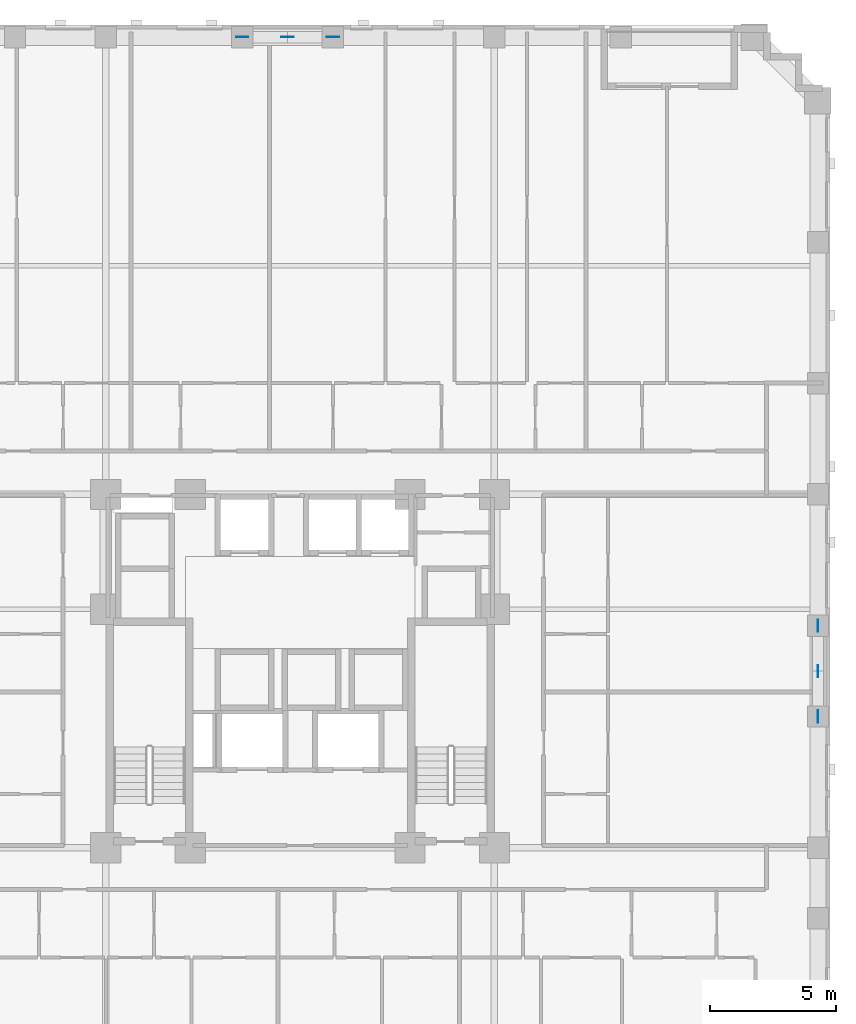
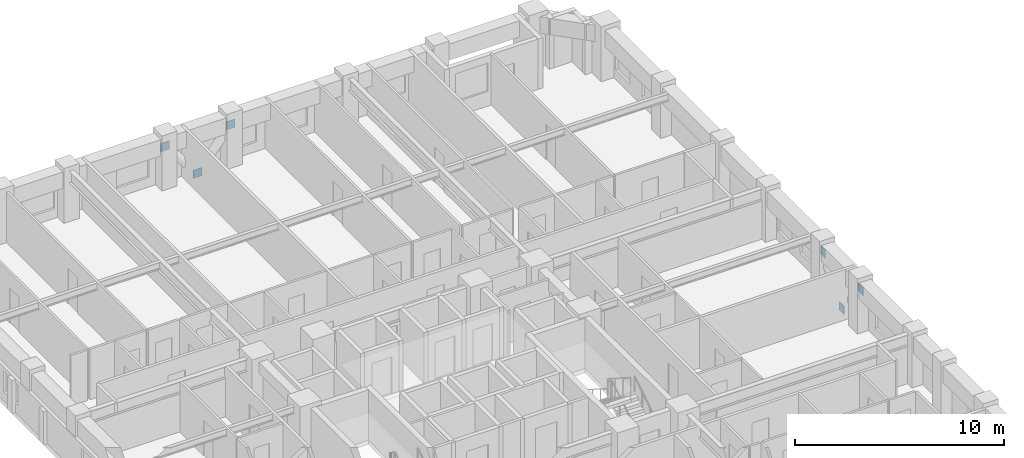
# One storey, part 11 of 14: 6 discrete accessories.
"""IFC4 building model written with IfcOpenShell, lengths in metres."""

import ifcopenshell
import ifcopenshell.guid

model = None  # the IFC model being written
_history = None  # IfcOwnerHistory: only IFC2X3 demands one
_inside = {}  # id of a spatial element -> (the spatial element, [elements in it])
_under = {}  # id of a project, library or spatial element -> (it, [spatial elements below it])
_declared = {}  # id of a project -> (the project, [libraries it declares])
_typed = {}  # id of a type object -> (the type object, [elements of that type])
_made_of = {}  # id of a material, layer set ... -> (it, [elements and type objects made of it])


def new_model(schema):
    """Start an empty IFC model of exactly this schema.

    Asked for "IFC4X3", IfcOpenShell would pick the latest addendum, in which some entities
    have other attributes; the version numbers below select the first issue.
    IFC2X3 requires an IfcOwnerHistory on every rooted entity: one is made here for all.
    """
    global model, _history
    if schema == "IFC4X3":
        model = ifcopenshell.file(schema_version=(4, 3, 0, 0))
    else:
        model = ifcopenshell.file(schema=schema)
    _inside.clear()
    _under.clear()
    _declared.clear()
    _typed.clear()
    _made_of.clear()
    _history = None
    if model.schema == "IFC2X3":
        org = make("IfcOrganization", Name="unknown")
        user = make(
            "IfcPersonAndOrganization",
            ThePerson=make("IfcPerson", FamilyName="unknown"),
            TheOrganization=org,
        )
        app = make(
            "IfcApplication",
            ApplicationDeveloper=org,
            Version="unknown",
            ApplicationFullName="unknown",
            ApplicationIdentifier="unknown",
        )
        _history = make(
            "IfcOwnerHistory",
            OwningUser=user,
            OwningApplication=app,
            ChangeAction="ADDED",
            CreationDate=0,
        )
    return model


def make(cls, **values):
    """One entity of the class cls with the attributes given. An attribute that is None is left unset."""
    return model.create_entity(
        cls, **{name: value for name, value in values.items() if value is not None}
    )


def rooted(cls, **values):
    """An entity with a GlobalId (a new one), such as an element, a storey or a relation."""
    return make(cls, GlobalId=ifcopenshell.guid.new(), OwnerHistory=_history, **values)


def si_unit(unit_type, name, prefix=None):
    """IfcSIUnit, for example si_unit("LENGTHUNIT", "METRE", prefix="MILLI")."""
    return make("IfcSIUnit", UnitType=unit_type, Prefix=prefix, Name=name)


def derived_unit(unit_type, elements):
    """IfcDerivedUnit: a product of units, each with its exponent."""
    return make(
        "IfcDerivedUnit",
        Elements=[
            make("IfcDerivedUnitElement", Unit=unit, Exponent=power)
            for unit, power in elements
        ],
        UnitType=unit_type,
    )


def assignment(units):
    """IfcUnitAssignment: the units of a project."""
    return None if units is None else make("IfcUnitAssignment", Units=units)


def point(xyz):
    """IfcCartesianPoint."""
    return None if xyz is None else make("IfcCartesianPoint", Coordinates=xyz)


def direction(xyz):
    """IfcDirection."""
    return None if xyz is None else make("IfcDirection", DirectionRatios=xyz)


def frame(location, z_axis=None, x_axis=None):
    """IfcAxis2Placement3D, a coordinate frame: its origin and axes. An axis left out is left unset."""
    return make(
        "IfcAxis2Placement3D",
        Location=point(location),
        Axis=direction(z_axis),
        RefDirection=direction(x_axis),
    )


def frame_2d(location, x_axis=None):
    """IfcAxis2Placement2D, a coordinate frame in the plane: its origin and x axis."""
    return make(
        "IfcAxis2Placement2D", Location=point(location), RefDirection=direction(x_axis)
    )


def origin():
    """The frame at (0, 0, 0) with its axes left unset."""
    return frame((0.0, 0.0, 0.0))


def origin_2d():
    """The frame at (0, 0) in the plane with its x axis left unset."""
    return frame_2d((0.0, 0.0))


def place(relative_to, where):
    """IfcLocalPlacement: puts the frame where relative to a parent placement (None: the world)."""
    return make(
        "IfcLocalPlacement", PlacementRelTo=relative_to, RelativePlacement=where
    )


def context(
    kind, dimensions, precision=None, world=None, true_north=None, identifier=None
):
    """IfcGeometricRepresentationContext, for example the 3D "Model" context."""
    return make(
        "IfcGeometricRepresentationContext",
        ContextIdentifier=identifier,
        ContextType=kind,
        CoordinateSpaceDimension=dimensions,
        Precision=precision,
        WorldCoordinateSystem=world,
        TrueNorth=true_north,
    )


def subcontext(parent, identifier, kind, view, scale=None):
    """IfcGeometricRepresentationSubContext, for example "Body" below "Model"."""
    return make(
        "IfcGeometricRepresentationSubContext",
        ContextIdentifier=identifier,
        ContextType=kind,
        ParentContext=parent,
        TargetScale=scale,
        TargetView=view,
    )


def project(units=None, contexts=None):
    """IfcProject with its units and contexts."""
    return rooted(
        "IfcProject",
        Name="project",
        RepresentationContexts=contexts,
        UnitsInContext=assignment(units),
    )


def spatial(cls, under=None, at=None, **own):
    """A site, building, storey or space (cls), placed at a placement, below another one or the project."""
    s = rooted(cls, ObjectPlacement=at, **own)
    if under is not None:
        _under.setdefault(under.id(), (under, []))[1].append(s)
    return s


def profile(cls, at=None, kind="AREA", **sizes):
    """A parametric profile (cls). Its sizes go by their IFC names, for example OverallWidth=200.0."""
    return make(cls, ProfileType=kind, Position=at, **sizes)


def rectangle(**sizes):
    """IfcRectangleProfileDef."""
    return profile("IfcRectangleProfileDef", **sizes)


def extrude(swept, where, along, depth):
    """IfcExtrudedAreaSolid: the profile swept, set in the frame where, extruded along a direction by depth."""
    return make(
        "IfcExtrudedAreaSolid",
        SweptArea=swept,
        Position=where,
        ExtrudedDirection=direction(along),
        Depth=depth,
    )


def shape(context_of_items, identifier, shape_type, items):
    """IfcShapeRepresentation: the items that make up one representation, for example the "Body"."""
    return make(
        "IfcShapeRepresentation",
        ContextOfItems=context_of_items,
        RepresentationIdentifier=identifier,
        RepresentationType=shape_type,
        Items=items,
    )


def material(Name=None, Category=None):
    """IfcMaterial."""
    return make("IfcMaterial", Name=Name, Category=Category)


def layer(
    of_material, thickness, ventilated=None, Name=None, Category=None, Priority=None
):
    """IfcMaterialLayer: one layer of a wall or slab, of a material (None: an air gap)."""
    return make(
        "IfcMaterialLayer",
        Material=of_material,
        LayerThickness=thickness,
        IsVentilated=ventilated,
        Name=Name,
        Category=Category,
        Priority=Priority,
    )


def layer_set(layers, Name=None):
    """IfcMaterialLayerSet."""
    return make("IfcMaterialLayerSet", MaterialLayers=layers, LayerSetName=Name)


def made_of(thing, what):
    """Note that an element or type object is made of a material, layer set ...; save() writes the relation."""
    if what is not None:
        _made_of.setdefault(what.id(), (what, []))[1].append(thing)
    return thing


def type_object(cls, material=None, **own):
    """A type object (cls), such as IfcWallType, which elements share."""
    return made_of(rooted(cls, **own), material)


def element(
    cls,
    number,
    at=None,
    inside=None,
    cuts=None,
    type_object=None,
    material=None,
    context=None,
    identifier="Body",
    shape_type=None,
    held_by="IfcProductDefinitionShape",
    body=None,
    shapes=None,
    **own,
):
    """One element of the class cls, such as IfcWall. Its Tag is "e" and its number.

    at: its placement. inside: the storey or other place that contains it. cuts: it is an
    opening in that element (IfcRelVoidsElement). A single representation is given by context,
    identifier, shape_type and body (its items); several are given by shapes. held_by: the class
    of the entity that holds the representations. save() writes the other relations.
    """
    e = rooted(cls, Tag="e%d" % number, ObjectPlacement=at, **own)
    if body is not None:
        shapes = [shape(context, identifier, shape_type, body)]
    if shapes is not None:
        e.Representation = make(held_by, Representations=shapes)
    if inside is not None:
        _inside.setdefault(inside.id(), (inside, []))[1].append(e)
    if cuts is not None:
        rooted(
            "IfcRelVoidsElement", RelatingBuildingElement=cuts, RelatedOpeningElement=e
        )
    if type_object is not None:
        _typed.setdefault(type_object.id(), (type_object, []))[1].append(e)
    return made_of(e, material)


def aggregate(whole, parts):
    """IfcRelAggregates: a whole, such as a stair, and the parts it consists of."""
    return rooted("IfcRelAggregates", RelatingObject=whole, RelatedObjects=parts)


def save(model, path):
    """Write the relations noted so far, then the file.

    IfcRelAggregates (storeys below a building ...), IfcRelContainedInSpatialStructure (elements
    in a storey), IfcRelDefinesByType, IfcRelAssociatesMaterial and IfcRelDeclares: one each for
    every whole, place, type object, material and project.
    """
    for whole, parts in _under.values():
        aggregate(whole, parts)
    for where, things in _inside.values():
        rooted(
            "IfcRelContainedInSpatialStructure",
            RelatedElements=things,
            RelatingStructure=where,
        )
    for kind, things in _typed.values():
        rooted("IfcRelDefinesByType", RelatedObjects=things, RelatingType=kind)
    for what, things in _made_of.values():
        rooted("IfcRelAssociatesMaterial", RelatedObjects=things, RelatingMaterial=what)
    for by, libraries in _declared.values():
        rooted("IfcRelDeclares", RelatingContext=by, RelatedDefinitions=libraries)
    model.write(path)


model = new_model("IFC4")

# Units and contexts
model_context = context("Model", 3, precision=1e-05, world=origin(), true_north=direction((0.0, 1.0)))
body_context = subcontext(model_context, "Body", "Model", "MODEL_VIEW")
ifc_project = project(units=[si_unit("LENGTHUNIT", "METRE"), si_unit("AREAUNIT", "SQUARE_METRE"), si_unit("VOLUMEUNIT", "CUBIC_METRE"), si_unit("PLANEANGLEUNIT", "RADIAN"), si_unit("MASSUNIT", "GRAM", prefix="KILO"), derived_unit("THERMALTRANSMITTANCEUNIT", [(si_unit("MASSUNIT", "GRAM", prefix="KILO"), 1), (si_unit("TIMEUNIT", "SECOND"), -3), (si_unit("THERMODYNAMICTEMPERATUREUNIT", "KELVIN"), -1)])], contexts=[model_context])

# Site, building, storey
site_placement = place(None, origin())
site = spatial("IfcSite", under=ifc_project, at=site_placement, CompositionType="ELEMENT")
building_placement = place(site_placement, origin())
building = spatial("IfcBuilding", under=site, at=building_placement, Name="Korrvale Station Residences", CompositionType="ELEMENT")
storey_placement = place(building_placement, frame((0.0, 0.0, 57.800048828125)))
storey = spatial("IfcBuildingStorey", under=building, at=storey_placement, Name="L15", CompositionType="ELEMENT", Elevation=57.800048828125)

# Discrete accessories
ifc_material = material(Name="Steel S355", Category="steel")
ifc_layer = layer(ifc_material, 0.02490234375, Name="Steel S355")
ifc_layer_set = layer_set([ifc_layer], Name="Steel S355")
discrete_accessory_type = type_object("IfcDiscreteAccessoryType", Name="ACC-GUSSET-25", PredefinedType="BRACKET", material=ifc_layer_set)
for number, where, z_axis, x_axis, name in (
    (1, (25.0, 47.1201171875, -0.219970703125), (0.0, 0.0, 1.0), (1.0, 0.0, 0.0), "L15 N Brace End Gusset Connection M"),
    (2, (23.199951171875, 47.1201171875, 1.969970703125), (0.0, 0.0, 1.0), (1.0, 0.0, 0.0), "L15 N Brace End Gusset Connection A"),
    (3, (26.800048828125, 47.1201171875, 1.969970703125), (0.0, 0.0, 1.0), (1.0, 0.0, 0.0), "L15 N Brace End Gusset Connection B"),
    (4, (46.02001953125, 22.0, -0.219970703125), (0.0, 0.0, 1.0), (0.0, 1.0, 0.0), "L15 E Brace End Gusset Connection M"),
    (5, (46.02001953125, 20.199951171875, 1.969970703125), (0.0, 0.0, 1.0), (0.0, 1.0, 0.0), "L15 E Brace End Gusset Connection A"),
    (6, (46.02001953125, 23.800048828125, 1.969970703125), (0.0, 0.0, 1.0), (0.0, 1.0, 0.0), "L15 E Brace End Gusset Connection B"),
):
    element("IfcDiscreteAccessory", number, at=place(storey_placement, frame(where, z_axis=z_axis, x_axis=x_axis)), inside=storey, type_object=discrete_accessory_type, Name=name, PredefinedType="BRACKET", context=body_context, shape_type="SweptSolid", body=[
        extrude(rectangle(XDim=0.47998046875, YDim=0.02490234375, at=origin_2d()), origin(), (0.0, 0.0, 1.0), 0.47998046875),
    ])

save(model, "model.ifc")
